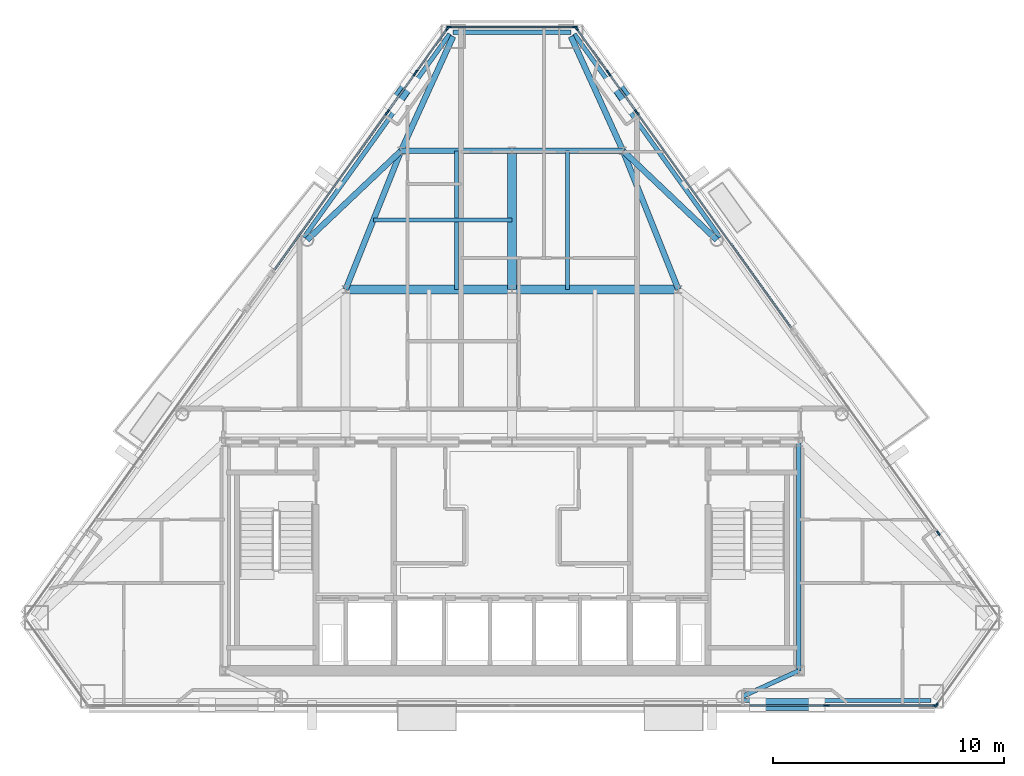
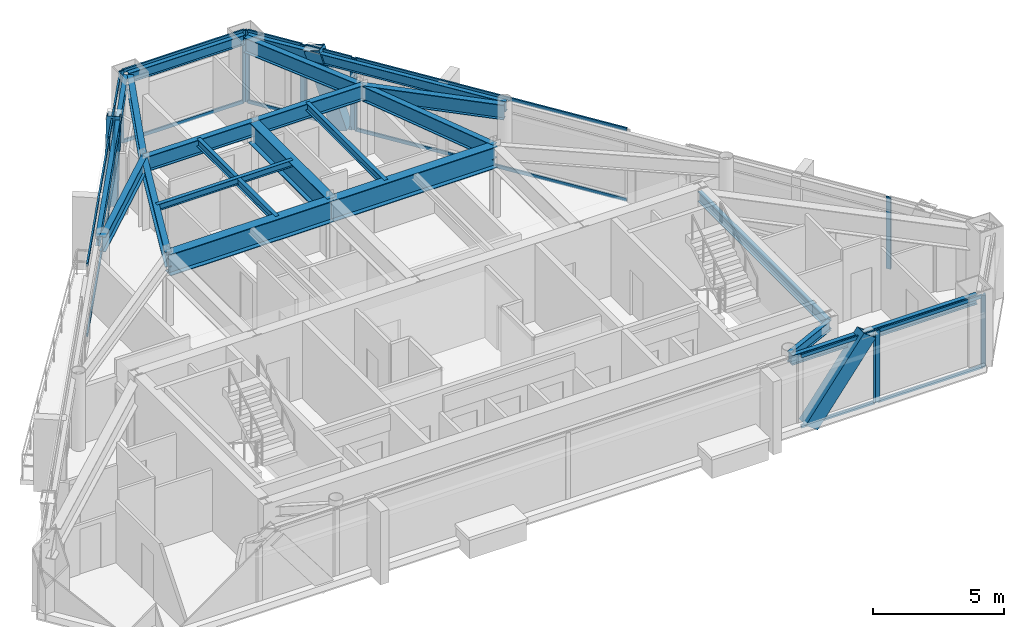
# One storey, part 4 of 11: 38 members, 20 beams, 11 elements without a shape of their own.
"""IFC4 building model written with IfcOpenShell, lengths in metres."""

from ifc_helpers import new_model, si_unit, direction, frame, origin, origin_2d, place, context, subcontext, project, spatial, rectangle, hollow_rectangle, i_section, extrude, material, layer, layer_set, material_profile, profile_set, type_object, element, aggregate, save


model = new_model("IFC4")

# Units and contexts
model_context = context("Model", 3, precision=1e-05, world=origin(), true_north=direction((0.0, 1.0)))
body_context = subcontext(model_context, "Body", "Model", "MODEL_VIEW")
ifc_project = project(units=[si_unit("LENGTHUNIT", "METRE"), si_unit("AREAUNIT", "SQUARE_METRE"), si_unit("VOLUMEUNIT", "CUBIC_METRE"), si_unit("PLANEANGLEUNIT", "RADIAN"), si_unit("MASSUNIT", "GRAM", prefix="KILO")], contexts=[model_context])

# Site, building, storey
site_placement = place(None, origin())
site = spatial("IfcSite", under=ifc_project, at=site_placement, CompositionType="ELEMENT")
building_placement = place(site_placement, origin())
building = spatial("IfcBuilding", under=site, at=building_placement, Name="Talgorran Terracotta Tower", CompositionType="ELEMENT")
storey_placement = place(building_placement, frame((0.0, 0.0, 237.0)))
storey = spatial("IfcBuildingStorey", under=building, at=storey_placement, Name="L62", CompositionType="ELEMENT", Elevation=237.0)

# Beams
ifc_material_1 = material(Name="Steel Grade 350 (350L0)", Category="steel")
ifc_material_profile_1 = material_profile(ifc_material_1, i_section(OverallWidth=0.39990234375, OverallDepth=1.0, WebThickness=0.01611328125, FlangeThickness=0.031005859375, at=origin_2d()), Name="1000WB296")
ifc_profile_set_1 = profile_set([ifc_material_profile_1], Name="Steel Grade 350 (350L0)")
beam_type_1 = type_object("IfcBeamType", Name="BM_1000WB296", PredefinedType="BEAM", material=ifc_profile_set_1)
for number, where, z_axis, x_axis, name in (
    (1, (-7.199951171875, 2.39990234375, 2.844970703125), (1.0, 0.0, 0.0), (0.0, 1.0, 0.0), "L62 Floor Girder G04"),
    (2, (0.0, 2.39990234375, 2.844970703125), (1.0, 0.0, 0.0), (0.0, 1.0, 0.0), "L62 Floor Girder G05"),
):
    element("IfcBeam", number, at=place(storey_placement, frame(where, z_axis=z_axis, x_axis=x_axis)), inside=storey, type_object=beam_type_1, Name=name, PredefinedType="BEAM", context=body_context, shape_type="SweptSolid", body=[
        extrude(i_section(OverallWidth=0.39990234375, OverallDepth=1.0, WebThickness=0.01611328125, FlangeThickness=0.031005859375, at=origin_2d()), origin(), (0.0, 0.0, 1.0), 7.199951171875),
    ])
beam_1_placement = place(storey_placement, frame((0.0, 2.39990234375, 2.844970703125), z_axis=(0.0, 1.0, 0.0), x_axis=(-1.0, 0.0, 0.0)))
element("IfcBeam", 3, at=beam_1_placement, inside=storey, type_object=beam_type_1, Name="L62 Floor Girder G09", PredefinedType="BEAM", context=body_context, shape_type="SweptSolid", body=[
    extrude(i_section(OverallWidth=0.39990234375, OverallDepth=1.0, WebThickness=0.01611328125, FlangeThickness=0.031005859375, at=origin_2d()), origin(), (0.0, 0.0, 1.0), 6.0),
])
ifc_material_2 = material(Name="Steel S355 (300PLUS)", Category="steel")
ifc_material_profile_2 = material_profile(ifc_material_2, i_section(OverallWidth=0.25, OverallDepth=0.699951171875, WebThickness=0.011962890625, FlangeThickness=0.02392578125, at=origin_2d()), Name="700WB150")
ifc_profile_set_2 = profile_set([ifc_material_profile_2], Name="Steel S355 (300PLUS)")
beam_type_2 = type_object("IfcBeamType", Name="BM_700WB150", PredefinedType="BEAM", material=ifc_profile_set_2)
for number, where, z_axis, x_axis, name in (
    (4, (-7.199951171875, 2.39990234375, 2.9951171875), (0.371377648723, 0.928481901832, 0.0), (-0.928481901832, 0.371377648723, 0.0), "L62 Floor Girder G08"),
    (5, (7.199951171875, 2.39990234375, 2.9951171875), (-0.371377648723, 0.928481901832, 0.0), (-0.928481901832, -0.371377648723, 0.0), "L62 Floor Girder G10"),
):
    element("IfcBeam", number, at=place(storey_placement, frame(where, z_axis=z_axis, x_axis=x_axis)), inside=storey, type_object=beam_type_2, Name=name, PredefinedType="BEAM", context=body_context, shape_type="SweptSolid", body=[
        extrude(i_section(OverallWidth=0.25, OverallDepth=0.699951171875, WebThickness=0.011962890625, FlangeThickness=0.02392578125, at=origin_2d()), origin(), (0.0, 0.0, 1.0), 6.462158203125),
    ])
for number, where, z_axis, x_axis, name in (
    (6, (-4.800048828125, 8.39990234375, 2.9951171875), (1.0, 0.0, 0.0), (0.0, 1.0, 0.0), "L62 Floor Girder G11"),
    (7, (0.0, 8.39990234375, 2.9951171875), (1.0, 0.0, 0.0), (0.0, 1.0, 0.0), "L62 Floor Girder G12"),
):
    element("IfcBeam", number, at=place(storey_placement, frame(where, z_axis=z_axis, x_axis=x_axis)), inside=storey, type_object=beam_type_2, Name=name, PredefinedType="BEAM", context=body_context, shape_type="SweptSolid", body=[
        extrude(i_section(OverallWidth=0.25, OverallDepth=0.699951171875, WebThickness=0.011962890625, FlangeThickness=0.02392578125, at=origin_2d()), origin(), (0.0, 0.0, 1.0), 4.800048828125),
    ])
for number, where, z_axis, x_axis, name in (
    (8, (-4.800048828125, 8.39990234375, 2.9951171875), (-0.725126847578, -0.688615317083, 0.0), (0.688615317083, -0.725126847578, 0.0), "L62 Floor Girder G13"),
    (9, (4.800048828125, 8.39990234375, 2.9951171875), (0.725126847578, -0.688615317083, 0.0), (0.688615317083, 0.725126847578, 0.0), "L62 Floor Girder G14"),
):
    element("IfcBeam", number, at=place(storey_placement, frame(where, z_axis=z_axis, x_axis=x_axis)), inside=storey, type_object=beam_type_2, Name=name, PredefinedType="BEAM", context=body_context, shape_type="SweptSolid", body=[
        extrude(i_section(OverallWidth=0.25, OverallDepth=0.699951171875, WebThickness=0.011962890625, FlangeThickness=0.02392578125, at=origin_2d()), origin(), (0.0, 0.0, 1.0), 5.5966796875),
    ])
for number, where, z_axis, x_axis, name in (
    (10, (-4.800048828125, 8.39990234375, 2.9951171875), (0.414262979991, 0.910157230048, 0.0), (-0.910157230048, 0.414262979991, 0.0), "L62 Floor Girder G15"),
    (11, (4.800048828125, 8.39990234375, 2.9951171875), (-0.414262979991, 0.910157230048, 0.0), (-0.910157230048, -0.414262979991, 0.0), "L62 Floor Girder G16"),
):
    element("IfcBeam", number, at=place(storey_placement, frame(where, z_axis=z_axis, x_axis=x_axis)), inside=storey, type_object=beam_type_2, Name=name, PredefinedType="BEAM", context=body_context, shape_type="SweptSolid", body=[
        extrude(i_section(OverallWidth=0.25, OverallDepth=0.699951171875, WebThickness=0.011962890625, FlangeThickness=0.02392578125, at=origin_2d()), origin(), (0.0, 0.0, 1.0), 5.437255859375),
    ])
ifc_material_profile_3 = material_profile(ifc_material_2, i_section(OverallWidth=0.17138671875, OverallDepth=0.355712890625, WebThickness=0.00732421875, FlangeThickness=0.011474609375, at=origin_2d()), Name="360UB50.7")
ifc_profile_set_3 = profile_set([ifc_material_profile_3], Name="Steel S355 (300PLUS)")
beam_type_3 = type_object("IfcBeamType", Name="BM_JS_360UB51", PredefinedType="JOIST", material=ifc_profile_set_3)
for number, where, z_axis, x_axis, name in (
    (12, (-2.39990234375, 2.39990234375, 3.167236328125), (0.0, 1.0, 0.0), (-1.0, 0.0, 0.0), "L62 Secondary Joist J03"),
    (13, (2.39990234375, 2.39990234375, 3.167236328125), (0.0, 1.0, 0.0), (-1.0, 0.0, 0.0), "L62 Secondary Joist J04"),
):
    element("IfcBeam", number, at=place(storey_placement, frame(where, z_axis=z_axis, x_axis=x_axis)), inside=storey, type_object=beam_type_3, Name=name, PredefinedType="JOIST", context=body_context, shape_type="SweptSolid", body=[
        extrude(i_section(OverallWidth=0.17138671875, OverallDepth=0.355712890625, WebThickness=0.00732421875, FlangeThickness=0.011474609375, at=origin_2d()), origin(), (0.0, 0.0, 1.0), 6.0),
    ])
ifc_material_profile_4 = material_profile(ifc_material_2, i_section(OverallWidth=0.1650390625, OverallDepth=0.303955078125, WebThickness=0.006103515625, FlangeThickness=0.01025390625, at=origin_2d()), Name="310UB40.4")
ifc_profile_set_4 = profile_set([ifc_material_profile_4], Name="Steel S355 (300PLUS)")
beam_type_4 = type_object("IfcBeamType", Name="BM_OL_310UB40", PredefinedType="BEAM", material=ifc_profile_set_4)
beam_2_placement = place(storey_placement, frame((-6.0, 5.39990234375, 3.193115234375), z_axis=(1.0, 0.0, 0.0), x_axis=(0.0, 1.0, 0.0)))
element("IfcBeam", 14, at=beam_2_placement, inside=storey, type_object=beam_type_4, Name="L62 Balcony Back-Span Tie Beam OL1", PredefinedType="BEAM", context=body_context, shape_type="SweptSolid", body=[
    extrude(i_section(OverallWidth=0.1650390625, OverallDepth=0.303955078125, WebThickness=0.006103515625, FlangeThickness=0.01025390625, at=origin_2d()), origin(), (0.0, 0.0, 1.0), 6.0),
])
ifc_material_profile_5 = material_profile(ifc_material_2, i_section(OverallWidth=0.18994140625, OverallDepth=0.45703125, WebThickness=0.009033203125, FlangeThickness=0.014404296875, at=origin_2d()), Name="460UB74.6")
ifc_profile_set_5 = profile_set([ifc_material_profile_5], Name="Steel S355 (300PLUS)")
beam_type_5 = type_object("IfcBeamType", Name="BM_SP_460UB74", PredefinedType="SPANDREL", material=ifc_profile_set_5)
beam_3_placement = place(storey_placement, frame((9.9755859375, -15.3876953125, 3.116455078125), z_axis=(1.0, 0.0, 0.0), x_axis=(0.0, 1.0, 0.0)))
element("IfcBeam", 15, at=beam_3_placement, inside=storey, type_object=beam_type_5, Name="L62 Perimeter Spandrel Beam FC2-MC3", PredefinedType="SPANDREL", context=body_context, shape_type="SweptSolid", body=[
    extrude(i_section(OverallWidth=0.18994140625, OverallDepth=0.45703125, WebThickness=0.009033203125, FlangeThickness=0.014404296875, at=origin_2d()), origin(), (0.0, 0.0, 1.0), 8.16162109375),
])
beam_4_placement = place(storey_placement, frame((9.0048828125, 4.65087890625, 3.116455078125), z_axis=(-0.5826658635, 0.812711813321, 0.0), x_axis=(-0.812711813321, -0.5826658635, 0.0)))
element("IfcBeam", 16, at=beam_4_placement, inside=storey, type_object=beam_type_5, Name="L62 Perimeter Spandrel Beam FC4-MC5", PredefinedType="SPANDREL", context=body_context, shape_type="SweptSolid", body=[
    extrude(i_section(OverallWidth=0.18994140625, OverallDepth=0.45703125, WebThickness=0.009033203125, FlangeThickness=0.014404296875, at=origin_2d()), origin(), (0.0, 0.0, 1.0), 10.831298828125),
])
beam_5_placement = place(storey_placement, frame((2.547607421875, 13.528564453125, 3.116455078125), z_axis=(-1.0, 0.0, 0.0), x_axis=(0.0, -1.0, 0.0)))
element("IfcBeam", 17, at=beam_5_placement, inside=storey, type_object=beam_type_5, Name="L62 Perimeter Spandrel Beam MC5-MC6", PredefinedType="SPANDREL", context=body_context, shape_type="SweptSolid", body=[
    extrude(i_section(OverallWidth=0.18994140625, OverallDepth=0.45703125, WebThickness=0.009033203125, FlangeThickness=0.014404296875, at=origin_2d()), origin(), (0.0, 0.0, 1.0), 5.09521484375),
])
beam_6_placement = place(storey_placement, frame((-2.69384765625, 13.45361328125, 3.116455078125), z_axis=(-0.5826658635, -0.812711813321, 0.0), x_axis=(0.812711813321, -0.5826658635, 0.0)))
element("IfcBeam", 18, at=beam_6_placement, inside=storey, type_object=beam_type_5, Name="L62 Perimeter Spandrel Beam MC6-FC5", PredefinedType="SPANDREL", context=body_context, shape_type="SweptSolid", body=[
    extrude(i_section(OverallWidth=0.18994140625, OverallDepth=0.45703125, WebThickness=0.009033203125, FlangeThickness=0.014404296875, at=origin_2d()), origin(), (0.0, 0.0, 1.0), 10.831298828125),
])
beam_7_placement = place(storey_placement, frame((12.39990234375, -14.10009765625, 3.116455078125), z_axis=(-0.909558570389, -0.415575753661, 0.0), x_axis=(0.415575753661, -0.909558570389, 0.0)))
element("IfcBeam", 19, at=beam_7_placement, inside=storey, type_object=beam_type_5, Name="L62 South-East Core Tie Beam", PredefinedType="SPANDREL", context=body_context, shape_type="SweptSolid", body=[
    extrude(i_section(OverallWidth=0.18994140625, OverallDepth=0.45703125, WebThickness=0.009033203125, FlangeThickness=0.014404296875, at=origin_2d()), origin(), (0.0, 0.0, 1.0), 2.665283203125),
])
beam_8_placement = place(storey_placement, frame((12.39990234375, -14.10009765625, 3.116455078125), z_axis=(0.0, 1.0, 0.0), x_axis=(-1.0, 0.0, 0.0)))
element("IfcBeam", 20, at=beam_8_placement, inside=storey, type_object=beam_type_5, Name="L62 Core Frame Beam CFE", PredefinedType="SPANDREL", context=body_context, shape_type="SweptSolid", body=[
    extrude(i_section(OverallWidth=0.18994140625, OverallDepth=0.45703125, WebThickness=0.009033203125, FlangeThickness=0.014404296875, at=origin_2d()), origin(), (0.0, 0.0, 1.0), 9.900146484375),
])

# Members
ifc_material_profile_6 = material_profile(ifc_material_1, hollow_rectangle(XDim=0.52001953125, YDim=0.659912109375, WallThickness=0.034912109375, at=origin_2d()), Name="WBOX660X520X35")
ifc_profile_set_6 = profile_set([ifc_material_profile_6], Name="Steel Grade 350 (350L0)")
member_type_1 = type_object("IfcMemberType", Name="MB_MEGA_660", PredefinedType="BRACE", material=ifc_profile_set_6)
member_1_placement = place(storey_placement, frame((10.626708984375, -15.56787109375, -0.02490234375), z_axis=(0.602842017397, 0.0, 0.797860578084), x_axis=(0.0, 1.0, 0.0)))
element("IfcMember", 21, at=member_1_placement, inside=storey, type_object=member_type_1, Name="L62 Exterior Face Mega-Brace MB-3 (SEF)", PredefinedType="BRACE", context=body_context, shape_type="SweptSolid", body=[
    extrude(hollow_rectangle(XDim=0.52001953125, YDim=0.659912109375, WallThickness=0.034912109375, at=origin_2d()), origin(), (0.0, 0.0, 1.0), 4.255126953125),
])
for number, where, z_axis, x_axis, name in (
    (22, (5.091796875, 10.417724609375, -0.02490234375), (-0.188673370531, 0.263040479796, 0.946156469746), (-0.812581531753, -0.58284753946, 0.0), "L62 Exterior Face Mega-Brace MB-3 (NEU)"),
    (23, (-5.091796875, 10.417724609375, -0.02490234375), (0.188673370531, 0.263040479796, 0.946156469746), (-0.812581531753, 0.58284753946, 0.0), "L62 Exterior Face Mega-Brace MB-3 (NWU)"),
):
    element("IfcMember", number, at=place(storey_placement, frame(where, z_axis=z_axis, x_axis=x_axis)), inside=storey, type_object=member_type_1, Name=name, PredefinedType="BRACE", context=body_context, shape_type="SweptSolid", body=[
        extrude(hollow_rectangle(XDim=0.52001953125, YDim=0.659912109375, WallThickness=0.034912109375, at=origin_2d()), origin(), (0.0, 0.0, 1.0), 3.588134765625),
    ])

# Curtain wall, member
ifc_material_3 = material(Name="High-Wind Unitised Glazing", Category="glass")
ifc_layer = layer(ifc_material_3, 0.2099609375, Name="CW_SYS3_RES_HIGH")
ifc_layer_set = layer_set([ifc_layer], Name="High-Wind Unitised Glazing")
curtain_wall_type = type_object("IfcCurtainWallType", Name="CW_SYS3_RES_HIGH", PredefinedType="NOTDEFINED", material=ifc_layer_set)
curtain_wall_1_placement = place(storey_placement, origin())
curtain_wall_1 = element("IfcCurtainWall", 24, at=curtain_wall_1_placement, inside=storey, type_object=curtain_wall_type, Name="CW-L62-F1D", PredefinedType="NOTDEFINED")
ifc_material_4 = material(Name="Architectural Aluminium 6063-T6", Category="aluminium")
ifc_material_profile_7 = material_profile(ifc_material_4, rectangle(XDim=0.070068359375, YDim=0.199951171875, at=origin_2d()), Name="CWM70X200")
ifc_profile_set_7 = profile_set([ifc_material_profile_7], Name="Architectural Aluminium 6063-T6")
member_type_2 = type_object("IfcMemberType", Name="MUL_70X200", PredefinedType="MULLION", material=ifc_profile_set_7)
member_2_placement = place(storey_placement, frame((13.565185546875, -15.60791015625, 0.0), z_axis=(0.0, 0.0, 1.0), x_axis=(0.0, 1.0, 0.0)))
member_2 = element("IfcMember", 25, at=member_2_placement, type_object=member_type_2, Name="CW-L62-1D mullion 2", PredefinedType="MULLION", context=body_context, shape_type="SweptSolid", body=[
    extrude(rectangle(XDim=0.070068359375, YDim=0.199951171875, at=origin_2d()), origin(), (0.0, 0.0, 1.0), 3.344970703125),
])

# Curtain wall, members
curtain_wall_2_placement = place(storey_placement, origin())
curtain_wall_2 = element("IfcCurtainWall", 26, at=curtain_wall_2_placement, inside=storey, type_object=curtain_wall_type, Name="CW-L62-F1E", PredefinedType="NOTDEFINED")
member_3_placement = place(storey_placement, frame((13.64501953125, -15.60791015625, 0.0), z_axis=(0.0, 0.0, 1.0), x_axis=(0.0, 1.0, 0.0)))
member_3 = element("IfcMember", 27, at=member_3_placement, type_object=member_type_2, Name="CW-L62-1E mullion 1", PredefinedType="MULLION", context=body_context, shape_type="SweptSolid", body=[
    extrude(rectangle(XDim=0.070068359375, YDim=0.199951171875, at=origin_2d()), origin(), (0.0, 0.0, 1.0), 3.344970703125),
])
member_4_placement = place(storey_placement, frame((18.3076171875, -15.60791015625, 0.0), z_axis=(0.0, 0.0, 1.0), x_axis=(0.0, 1.0, 0.0)))
member_4 = element("IfcMember", 28, at=member_4_placement, type_object=member_type_2, Name="CW-L62-1E mullion 2", PredefinedType="MULLION", context=body_context, shape_type="SweptSolid", body=[
    extrude(rectangle(XDim=0.070068359375, YDim=0.199951171875, at=origin_2d()), origin(), (0.0, 0.0, 1.0), 3.344970703125),
])

# Curtain wall, member
curtain_wall_3_placement = place(storey_placement, origin())
curtain_wall_3 = element("IfcCurtainWall", 29, at=curtain_wall_3_placement, inside=storey, type_object=curtain_wall_type, Name="CW-L62-F2", PredefinedType="NOTDEFINED")
member_5_placement = place(storey_placement, frame((18.363037109375, -15.579345703125, 0.0), z_axis=(0.0, 0.0, 1.0), x_axis=(-0.812714993724, 0.582661427396, 0.0)))
member_5 = element("IfcMember", 30, at=member_5_placement, type_object=member_type_2, Name="CW-L62-2 mullion 1", PredefinedType="MULLION", context=body_context, shape_type="SweptSolid", body=[
    extrude(rectangle(XDim=0.070068359375, YDim=0.199951171875, at=origin_2d()), origin(), (0.0, 0.0, 1.0), 3.344970703125),
])
aggregate(curtain_wall_3, [member_5])

curtain_wall_4_placement = place(storey_placement, origin())
curtain_wall_4 = element("IfcCurtainWall", 31, at=curtain_wall_4_placement, inside=storey, type_object=curtain_wall_type, Name="CW-L62-F40B", PredefinedType="NOTDEFINED")
member_6_placement = place(storey_placement, frame((18.448974609375, -8.14453125, 0.0), z_axis=(0.0, 0.0, 1.0), x_axis=(-0.812700408888, -0.582681770259, 0.0)))
member_6 = element("IfcMember", 32, at=member_6_placement, type_object=member_type_2, Name="CW-L62-40B mullion 2", PredefinedType="MULLION", context=body_context, shape_type="SweptSolid", body=[
    extrude(rectangle(XDim=0.070068359375, YDim=0.199951171875, at=origin_2d()), origin(), (0.0, 0.0, 1.0), 3.344970703125),
])
aggregate(curtain_wall_4, [member_6])

curtain_wall_5_placement = place(storey_placement, origin())
curtain_wall_5 = element("IfcCurtainWall", 33, at=curtain_wall_5_placement, inside=storey, type_object=curtain_wall_type, Name="CW-L62-F41", PredefinedType="NOTDEFINED")
member_7_placement = place(storey_placement, frame((5.4169921875, 10.032958984375, 0.0), z_axis=(0.0, 0.0, 1.0), x_axis=(-0.812713410576, -0.582663635617, 0.0)))
member_7 = element("IfcMember", 34, at=member_7_placement, type_object=member_type_2, Name="CW-L62-41 mullion 2", PredefinedType="MULLION", context=body_context, shape_type="SweptSolid", body=[
    extrude(rectangle(XDim=0.070068359375, YDim=0.199951171875, at=origin_2d()), origin(), (0.0, 0.0, 1.0), 3.344970703125),
])

# Curtain wall, members
curtain_wall_6_placement = place(storey_placement, origin())
curtain_wall_6 = element("IfcCurtainWall", 35, at=curtain_wall_6_placement, inside=storey, type_object=curtain_wall_type, Name="CW-L62-F41B", PredefinedType="NOTDEFINED")
member_8_placement = place(storey_placement, frame((5.370361328125, 10.097900390625, 0.0), z_axis=(0.0, 0.0, 1.0), x_axis=(-0.812716763006, -0.582658959537, 0.0)))
member_8 = element("IfcMember", 36, at=member_8_placement, type_object=member_type_2, Name="CW-L62-41B mullion 1", PredefinedType="MULLION", context=body_context, shape_type="SweptSolid", body=[
    extrude(rectangle(XDim=0.070068359375, YDim=0.199951171875, at=origin_2d()), origin(), (0.0, 0.0, 1.0), 3.344970703125),
])
member_9_placement = place(storey_placement, frame((4.201416015625, 11.728271484375, 0.0), z_axis=(0.0, 0.0, 1.0), x_axis=(-0.812716763006, -0.582658959537, 0.0)))
member_9 = element("IfcMember", 37, at=member_9_placement, type_object=member_type_2, Name="CW-L62-41B mullion 2", PredefinedType="MULLION", context=body_context, shape_type="SweptSolid", body=[
    extrude(rectangle(XDim=0.070068359375, YDim=0.199951171875, at=origin_2d()), origin(), (0.0, 0.0, 1.0), 3.344970703125),
])

curtain_wall_7_placement = place(storey_placement, origin())
curtain_wall_7 = element("IfcCurtainWall", 38, at=curtain_wall_7_placement, inside=storey, type_object=curtain_wall_type, Name="CW-L62-F41C", PredefinedType="NOTDEFINED")
member_10_placement = place(storey_placement, frame((4.15478515625, 11.793212890625, 0.0), z_axis=(0.0, 0.0, 1.0), x_axis=(-0.812719175629, -0.582655594296, 0.0)))
member_10 = element("IfcMember", 39, at=member_10_placement, type_object=member_type_2, Name="CW-L62-41C mullion 1", PredefinedType="MULLION", context=body_context, shape_type="SweptSolid", body=[
    extrude(rectangle(XDim=0.070068359375, YDim=0.199951171875, at=origin_2d()), origin(), (0.0, 0.0, 1.0), 3.344970703125),
])
member_11_placement = place(storey_placement, frame((2.796630859375, 13.687744140625, 0.0), z_axis=(0.0, 0.0, 1.0), x_axis=(-0.812719175629, -0.582655594296, 0.0)))
member_11 = element("IfcMember", 40, at=member_11_placement, type_object=member_type_2, Name="CW-L62-41C mullion 2", PredefinedType="MULLION", context=body_context, shape_type="SweptSolid", body=[
    extrude(rectangle(XDim=0.070068359375, YDim=0.199951171875, at=origin_2d()), origin(), (0.0, 0.0, 1.0), 3.344970703125),
])

curtain_wall_8_placement = place(storey_placement, origin())
curtain_wall_8 = element("IfcCurtainWall", 41, at=curtain_wall_8_placement, inside=storey, type_object=curtain_wall_type, Name="CW-L62-F4", PredefinedType="NOTDEFINED")
member_12_placement = place(storey_placement, frame((2.718017578125, 13.74853515625, 0.0), z_axis=(0.0, 0.0, 1.0), x_axis=(0.0, -1.0, 0.0)))
member_12 = element("IfcMember", 42, at=member_12_placement, type_object=member_type_2, Name="CW-L62-4 mullion 1", PredefinedType="MULLION", context=body_context, shape_type="SweptSolid", body=[
    extrude(rectangle(XDim=0.070068359375, YDim=0.199951171875, at=origin_2d()), origin(), (0.0, 0.0, 1.0), 3.344970703125),
])
member_13_placement = place(storey_placement, frame((-2.718017578125, 13.74853515625, 0.0), z_axis=(0.0, 0.0, 1.0), x_axis=(0.0, -1.0, 0.0)))
member_13 = element("IfcMember", 43, at=member_13_placement, type_object=member_type_2, Name="CW-L62-4 mullion 2", PredefinedType="MULLION", context=body_context, shape_type="SweptSolid", body=[
    extrude(rectangle(XDim=0.070068359375, YDim=0.199951171875, at=origin_2d()), origin(), (0.0, 0.0, 1.0), 3.344970703125),
])

curtain_wall_9_placement = place(storey_placement, origin())
curtain_wall_9 = element("IfcCurtainWall", 44, at=curtain_wall_9_placement, inside=storey, type_object=curtain_wall_type, Name="CW-L62-F60", PredefinedType="NOTDEFINED")
member_14_placement = place(storey_placement, frame((-2.796630859375, 13.687744140625, 0.0), z_axis=(0.0, 0.0, 1.0), x_axis=(0.812719175629, -0.582655594296, 0.0)))
member_14 = element("IfcMember", 45, at=member_14_placement, type_object=member_type_2, Name="CW-L62-60 mullion 1", PredefinedType="MULLION", context=body_context, shape_type="SweptSolid", body=[
    extrude(rectangle(XDim=0.070068359375, YDim=0.199951171875, at=origin_2d()), origin(), (0.0, 0.0, 1.0), 3.344970703125),
])
member_15_placement = place(storey_placement, frame((-4.15478515625, 11.793212890625, 0.0), z_axis=(0.0, 0.0, 1.0), x_axis=(0.812719175629, -0.582655594296, 0.0)))
member_15 = element("IfcMember", 46, at=member_15_placement, type_object=member_type_2, Name="CW-L62-60 mullion 2", PredefinedType="MULLION", context=body_context, shape_type="SweptSolid", body=[
    extrude(rectangle(XDim=0.070068359375, YDim=0.199951171875, at=origin_2d()), origin(), (0.0, 0.0, 1.0), 3.344970703125),
])

curtain_wall_10_placement = place(storey_placement, origin())
curtain_wall_10 = element("IfcCurtainWall", 47, at=curtain_wall_10_placement, inside=storey, type_object=curtain_wall_type, Name="CW-L62-F60B", PredefinedType="NOTDEFINED")
member_16_placement = place(storey_placement, frame((-4.201416015625, 11.728271484375, 0.0), z_axis=(0.0, 0.0, 1.0), x_axis=(0.812716763006, -0.582658959537, 0.0)))
member_16 = element("IfcMember", 48, at=member_16_placement, type_object=member_type_2, Name="CW-L62-60B mullion 1", PredefinedType="MULLION", context=body_context, shape_type="SweptSolid", body=[
    extrude(rectangle(XDim=0.070068359375, YDim=0.199951171875, at=origin_2d()), origin(), (0.0, 0.0, 1.0), 3.344970703125),
])
member_17_placement = place(storey_placement, frame((-5.370361328125, 10.097900390625, 0.0), z_axis=(0.0, 0.0, 1.0), x_axis=(0.812716763006, -0.582658959537, 0.0)))
member_17 = element("IfcMember", 49, at=member_17_placement, type_object=member_type_2, Name="CW-L62-60B mullion 2", PredefinedType="MULLION", context=body_context, shape_type="SweptSolid", body=[
    extrude(rectangle(XDim=0.070068359375, YDim=0.199951171875, at=origin_2d()), origin(), (0.0, 0.0, 1.0), 3.344970703125),
])

# Curtain wall, member
curtain_wall_11_placement = place(storey_placement, origin())
curtain_wall_11 = element("IfcCurtainWall", 50, at=curtain_wall_11_placement, inside=storey, type_object=curtain_wall_type, Name="CW-L62-F60C", PredefinedType="NOTDEFINED")
member_18_placement = place(storey_placement, frame((-5.4169921875, 10.032958984375, 0.0), z_axis=(0.0, 0.0, 1.0), x_axis=(0.812712835323, -0.582664437993, 0.0)))
member_18 = element("IfcMember", 51, at=member_18_placement, type_object=member_type_2, Name="CW-L62-60C mullion 1", PredefinedType="MULLION", context=body_context, shape_type="SweptSolid", body=[
    extrude(rectangle(XDim=0.070068359375, YDim=0.199951171875, at=origin_2d()), origin(), (0.0, 0.0, 1.0), 3.344970703125),
])

# Member
ifc_material_profile_8 = material_profile(ifc_material_4, rectangle(XDim=0.070068359375, YDim=0.159912109375, at=origin_2d()), Name="CWT70X160")
ifc_profile_set_8 = profile_set([ifc_material_profile_8], Name="Architectural Aluminium 6063-T6")
member_type_3 = type_object("IfcMemberType", Name="TRN_70X160", PredefinedType="USERDEFINED", material=ifc_profile_set_8)
member_19_placement = place(storey_placement, frame((10.28857421875, -15.60791015625, 0.034912109375), z_axis=(1.0, 0.0, 0.0), x_axis=(0.0, 1.0, 0.0)))
member_19 = element("IfcMember", 52, at=member_19_placement, type_object=member_type_3, Name="CW-L62-1D transom 1.1", ObjectType="TRANSOM", PredefinedType="USERDEFINED", context=body_context, shape_type="SweptSolid", body=[
    extrude(rectangle(XDim=0.070068359375, YDim=0.159912109375, at=origin_2d()), origin(), (0.0, 0.0, 1.0), 3.241455078125),
])

member_20_placement = place(storey_placement, frame((10.28857421875, -15.60791015625, 3.31005859375), z_axis=(1.0, 0.0, 0.0), x_axis=(0.0, 1.0, 0.0)))
member_20 = element("IfcMember", 53, at=member_20_placement, type_object=member_type_3, Name="CW-L62-1D transom 1.2", ObjectType="TRANSOM", PredefinedType="USERDEFINED", context=body_context, shape_type="SweptSolid", body=[
    extrude(rectangle(XDim=0.070068359375, YDim=0.159912109375, at=origin_2d()), origin(), (0.0, 0.0, 1.0), 3.241455078125),
])

aggregate(curtain_wall_1, [member_2, member_19, member_20])

member_21_placement = place(storey_placement, frame((13.68017578125, -15.60791015625, 0.034912109375), z_axis=(1.0, 0.0, 0.0), x_axis=(0.0, 1.0, 0.0)))
member_21 = element("IfcMember", 54, at=member_21_placement, type_object=member_type_3, Name="CW-L62-1E transom 1.1", ObjectType="TRANSOM", PredefinedType="USERDEFINED", context=body_context, shape_type="SweptSolid", body=[
    extrude(rectangle(XDim=0.070068359375, YDim=0.159912109375, at=origin_2d()), origin(), (0.0, 0.0, 1.0), 4.592529296875),
])

member_22_placement = place(storey_placement, frame((13.68017578125, -15.60791015625, 3.31005859375), z_axis=(1.0, 0.0, 0.0), x_axis=(0.0, 1.0, 0.0)))
member_22 = element("IfcMember", 55, at=member_22_placement, type_object=member_type_3, Name="CW-L62-1E transom 1.2", ObjectType="TRANSOM", PredefinedType="USERDEFINED", context=body_context, shape_type="SweptSolid", body=[
    extrude(rectangle(XDim=0.070068359375, YDim=0.159912109375, at=origin_2d()), origin(), (0.0, 0.0, 1.0), 4.592529296875),
])

aggregate(curtain_wall_2, [member_3, member_4, member_21, member_22])

member_23_placement = place(storey_placement, frame((12.06396484375, 0.76123046875, 0.034912109375), z_axis=(-0.582660754563, 0.8127154761, 0.0), x_axis=(-0.8127154761, -0.582660754563, 0.0)))
member_23 = element("IfcMember", 56, at=member_23_placement, type_object=member_type_3, Name="CW-L62-41 transom 1.1", ObjectType="TRANSOM", PredefinedType="USERDEFINED", context=body_context, shape_type="SweptSolid", body=[
    extrude(rectangle(XDim=0.070068359375, YDim=0.159912109375, at=origin_2d()), origin(), (0.0, 0.0, 1.0), 11.373291015625),
])

member_24_placement = place(storey_placement, frame((12.06396484375, 0.76123046875, 3.31005859375), z_axis=(-0.582660754563, 0.8127154761, 0.0), x_axis=(-0.8127154761, -0.582660754563, 0.0)))
member_24 = element("IfcMember", 57, at=member_24_placement, type_object=member_type_3, Name="CW-L62-41 transom 1.2", ObjectType="TRANSOM", PredefinedType="USERDEFINED", context=body_context, shape_type="SweptSolid", body=[
    extrude(rectangle(XDim=0.070068359375, YDim=0.159912109375, at=origin_2d()), origin(), (0.0, 0.0, 1.0), 11.373291015625),
])

aggregate(curtain_wall_5, [member_7, member_23, member_24])

member_25_placement = place(storey_placement, frame((5.349853515625, 10.126220703125, 0.034912109375), z_axis=(-0.582609195307, 0.812752438042, 0.0), x_axis=(-0.812752438042, -0.582609195307, 0.0)))
member_25 = element("IfcMember", 58, at=member_25_placement, type_object=member_type_3, Name="CW-L62-41B transom 1.1", ObjectType="TRANSOM", PredefinedType="USERDEFINED", context=body_context, shape_type="SweptSolid", body=[
    extrude(rectangle(XDim=0.070068359375, YDim=0.159912109375, at=origin_2d()), origin(), (0.0, 0.0, 1.0), 1.93603515625),
])

member_26_placement = place(storey_placement, frame((5.349853515625, 10.126220703125, 3.31005859375), z_axis=(-0.582609195307, 0.812752438042, 0.0), x_axis=(-0.812752438042, -0.582609195307, 0.0)))
member_26 = element("IfcMember", 59, at=member_26_placement, type_object=member_type_3, Name="CW-L62-41B transom 1.2", ObjectType="TRANSOM", PredefinedType="USERDEFINED", context=body_context, shape_type="SweptSolid", body=[
    extrude(rectangle(XDim=0.070068359375, YDim=0.159912109375, at=origin_2d()), origin(), (0.0, 0.0, 1.0), 1.93603515625),
])

aggregate(curtain_wall_6, [member_8, member_9, member_25, member_26])

member_27_placement = place(storey_placement, frame((4.134521484375, 11.821533203125, 0.034912109375), z_axis=(-0.582707955398, 0.812681634293, 0.0), x_axis=(-0.812681634293, -0.582707955398, 0.0)))
member_27 = element("IfcMember", 60, at=member_27_placement, type_object=member_type_3, Name="CW-L62-41C transom 1.1", ObjectType="TRANSOM", PredefinedType="USERDEFINED", context=body_context, shape_type="SweptSolid", body=[
    extrude(rectangle(XDim=0.070068359375, YDim=0.159912109375, at=origin_2d()), origin(), (0.0, 0.0, 1.0), 2.26123046875),
])

member_28_placement = place(storey_placement, frame((4.134521484375, 11.821533203125, 3.31005859375), z_axis=(-0.582707955398, 0.812681634293, 0.0), x_axis=(-0.812681634293, -0.582707955398, 0.0)))
member_28 = element("IfcMember", 61, at=member_28_placement, type_object=member_type_3, Name="CW-L62-41C transom 1.2", ObjectType="TRANSOM", PredefinedType="USERDEFINED", context=body_context, shape_type="SweptSolid", body=[
    extrude(rectangle(XDim=0.070068359375, YDim=0.159912109375, at=origin_2d()), origin(), (0.0, 0.0, 1.0), 2.26123046875),
])

aggregate(curtain_wall_7, [member_10, member_11, member_27, member_28])

member_29_placement = place(storey_placement, frame((2.682861328125, 13.74853515625, 0.034912109375), z_axis=(-1.0, 0.0, 0.0), x_axis=(0.0, -1.0, 0.0)))
member_29 = element("IfcMember", 62, at=member_29_placement, type_object=member_type_3, Name="CW-L62-4 transom 1.1", ObjectType="TRANSOM", PredefinedType="USERDEFINED", context=body_context, shape_type="SweptSolid", body=[
    extrude(rectangle(XDim=0.070068359375, YDim=0.159912109375, at=origin_2d()), origin(), (0.0, 0.0, 1.0), 5.36572265625),
])

member_30_placement = place(storey_placement, frame((2.682861328125, 13.74853515625, 3.31005859375), z_axis=(-1.0, 0.0, 0.0), x_axis=(0.0, -1.0, 0.0)))
member_30 = element("IfcMember", 63, at=member_30_placement, type_object=member_type_3, Name="CW-L62-4 transom 1.2", ObjectType="TRANSOM", PredefinedType="USERDEFINED", context=body_context, shape_type="SweptSolid", body=[
    extrude(rectangle(XDim=0.070068359375, YDim=0.159912109375, at=origin_2d()), origin(), (0.0, 0.0, 1.0), 5.36572265625),
])

aggregate(curtain_wall_8, [member_12, member_13, member_29, member_30])

member_31_placement = place(storey_placement, frame((-2.81689453125, 13.6591796875, 0.034912109375), z_axis=(-0.582707955398, -0.812681634293, 0.0), x_axis=(0.812681634293, -0.582707955398, 0.0)))
member_31 = element("IfcMember", 64, at=member_31_placement, type_object=member_type_3, Name="CW-L62-60 transom 1.1", ObjectType="TRANSOM", PredefinedType="USERDEFINED", context=body_context, shape_type="SweptSolid", body=[
    extrude(rectangle(XDim=0.070068359375, YDim=0.159912109375, at=origin_2d()), origin(), (0.0, 0.0, 1.0), 2.26123046875),
])

member_32_placement = place(storey_placement, frame((-2.81689453125, 13.6591796875, 3.31005859375), z_axis=(-0.582707955398, -0.812681634293, 0.0), x_axis=(0.812681634293, -0.582707955398, 0.0)))
member_32 = element("IfcMember", 65, at=member_32_placement, type_object=member_type_3, Name="CW-L62-60 transom 1.2", ObjectType="TRANSOM", PredefinedType="USERDEFINED", context=body_context, shape_type="SweptSolid", body=[
    extrude(rectangle(XDim=0.070068359375, YDim=0.159912109375, at=origin_2d()), origin(), (0.0, 0.0, 1.0), 2.26123046875),
])

aggregate(curtain_wall_9, [member_14, member_15, member_31, member_32])

member_33_placement = place(storey_placement, frame((-4.221923828125, 11.69970703125, 0.034912109375), z_axis=(-0.582609195307, -0.812752438042, 0.0), x_axis=(0.812752438042, -0.582609195307, 0.0)))
member_33 = element("IfcMember", 66, at=member_33_placement, type_object=member_type_3, Name="CW-L62-60B transom 1.1", ObjectType="TRANSOM", PredefinedType="USERDEFINED", context=body_context, shape_type="SweptSolid", body=[
    extrude(rectangle(XDim=0.070068359375, YDim=0.159912109375, at=origin_2d()), origin(), (0.0, 0.0, 1.0), 1.93603515625),
])

member_34_placement = place(storey_placement, frame((-4.221923828125, 11.69970703125, 3.31005859375), z_axis=(-0.582609195307, -0.812752438042, 0.0), x_axis=(0.812752438042, -0.582609195307, 0.0)))
member_34 = element("IfcMember", 67, at=member_34_placement, type_object=member_type_3, Name="CW-L62-60B transom 1.2", ObjectType="TRANSOM", PredefinedType="USERDEFINED", context=body_context, shape_type="SweptSolid", body=[
    extrude(rectangle(XDim=0.070068359375, YDim=0.159912109375, at=origin_2d()), origin(), (0.0, 0.0, 1.0), 1.93603515625),
])

aggregate(curtain_wall_10, [member_16, member_17, member_33, member_34])

member_35_placement = place(storey_placement, frame((-5.437255859375, 10.00439453125, 0.034912109375), z_axis=(-0.582678973555, -0.812702414034, 0.0), x_axis=(0.812702414034, -0.582678973555, 0.0)))
member_35 = element("IfcMember", 68, at=member_35_placement, type_object=member_type_3, Name="CW-L62-60C transom 1.1", ObjectType="TRANSOM", PredefinedType="USERDEFINED", context=body_context, shape_type="SweptSolid", body=[
    extrude(rectangle(XDim=0.070068359375, YDim=0.159912109375, at=origin_2d()), origin(), (0.0, 0.0, 1.0), 8.2978515625),
])

member_36_placement = place(storey_placement, frame((-5.437255859375, 10.00439453125, 3.31005859375), z_axis=(-0.582678973555, -0.812702414034, 0.0), x_axis=(0.812702414034, -0.582678973555, 0.0)))
member_36 = element("IfcMember", 69, at=member_36_placement, type_object=member_type_3, Name="CW-L62-60C transom 1.2", ObjectType="TRANSOM", PredefinedType="USERDEFINED", context=body_context, shape_type="SweptSolid", body=[
    extrude(rectangle(XDim=0.070068359375, YDim=0.159912109375, at=origin_2d()), origin(), (0.0, 0.0, 1.0), 8.2978515625),
])

aggregate(curtain_wall_11, [member_18, member_35, member_36])

save(model, "model.ifc")
